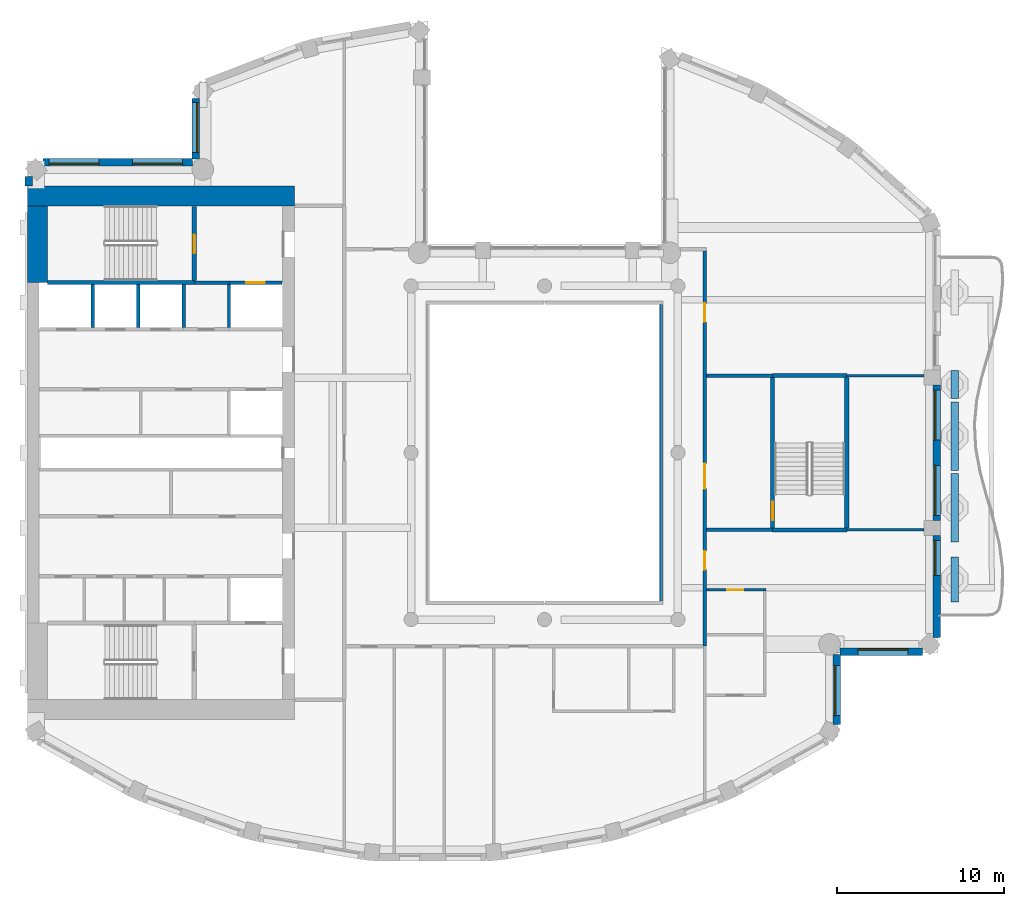
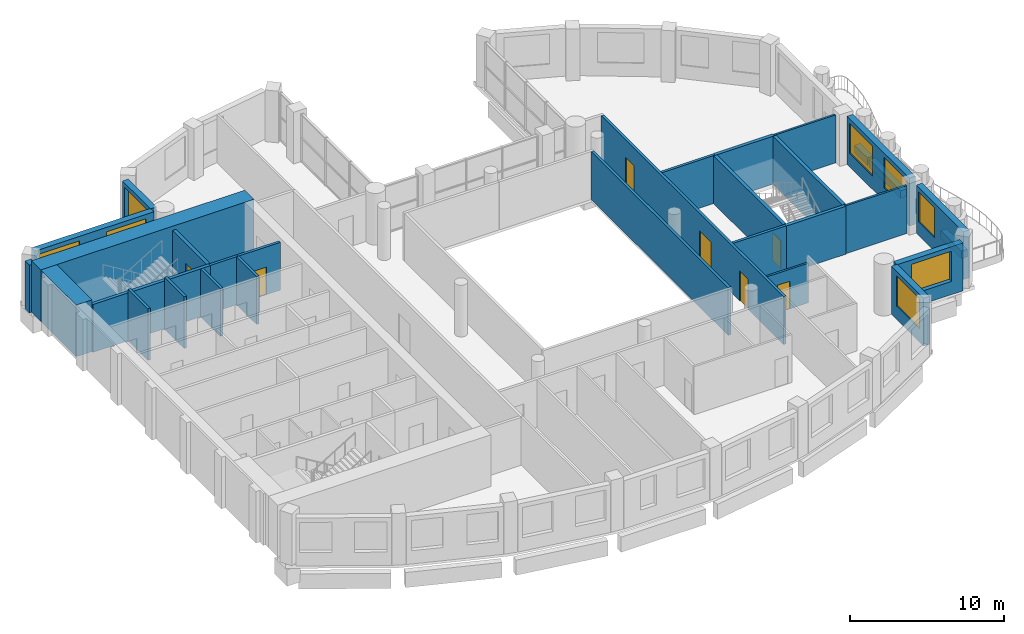
# One storey, part 7 of 15: 32 walls, 8 windows, 7 doors, 15 openings.
"""IFC4 building model written with IfcOpenShell, lengths in metres."""

from ifc_helpers import new_model, si_unit, direction, frame, frame_2d, origin, place, context, subcontext, project, spatial, rectangle, extrude, material, layer, layer_set, type_object, element, fill, save


model = new_model("IFC4")

# Units and contexts
model_context = context("Model", 3, precision=1e-05, world=origin(), true_north=direction((0.0, 1.0)))
body_context = subcontext(model_context, "Body", "Model", "MODEL_VIEW")
ifc_project = project(units=[si_unit("LENGTHUNIT", "METRE"), si_unit("AREAUNIT", "SQUARE_METRE"), si_unit("VOLUMEUNIT", "CUBIC_METRE"), si_unit("PLANEANGLEUNIT", "RADIAN"), si_unit("MASSUNIT", "GRAM", prefix="KILO")], contexts=[model_context])

# Site, building, storey
site_placement = place(None, origin())
site = spatial("IfcSite", under=ifc_project, at=site_placement, CompositionType="ELEMENT")
building_placement = place(site_placement, origin())
building = spatial("IfcBuilding", under=site, at=building_placement, Name="Cypress Arch Tower", CompositionType="ELEMENT")
storey_placement = place(building_placement, frame((0.0, 0.0, 243.39990234375)))
storey = spatial("IfcBuildingStorey", under=building, at=storey_placement, Name="L54", CompositionType="ELEMENT", Elevation=243.39990234375)

# Walls
ifc_material_1 = material(Name="Concrete C40/50, waterproofed", Category="concrete")
ifc_layer_1 = layer(ifc_material_1, 0.449951171875)
ifc_layer_set_1 = layer_set([ifc_layer_1], Name="Balcony planter wall PW450")
wall_type_1 = type_object("IfcWallType", Name="Balcony planter wall PW450", PredefinedType="SOLIDWALL", material=ifc_layer_set_1)
wall_1_placement = place(storey_placement, frame((25.60009765625, -8.949951171875, 0.0), z_axis=(0.0, 0.0, 1.0), x_axis=(0.0, 1.0, 0.0)))
element("IfcWall", 1, at=wall_1_placement, inside=storey, type_object=wall_type_1, Name="Balcony planter wall L54-C17.1", PredefinedType="SOLIDWALL", context=body_context, shape_type="SweptSolid", body=[
    extrude(rectangle(XDim=2.699951171875, YDim=0.449951171875, at=frame_2d((1.35009765625, 0.0))), origin(), (0.0, 0.0, 1.0), 0.60009765625),
])
for number, where, z_axis, x_axis, name in (
    (2, (25.60009765625, -5.35009765625, 0.0), (0.0, 0.0, 1.0), (0.0, 1.0, 0.0), "Balcony planter wall L54-C17.2"),
    (3, (25.60009765625, -1.050048828125, 0.0), (0.0, 0.0, 1.0), (0.0, 1.0, 0.0), "Balcony planter wall L54-C17.3"),
):
    element("IfcWall", number, at=place(storey_placement, frame(where, z_axis=z_axis, x_axis=x_axis)), inside=storey, type_object=wall_type_1, Name=name, PredefinedType="SOLIDWALL", context=body_context, shape_type="SweptSolid", body=[
        extrude(rectangle(XDim=4.10009765625, YDim=0.449951171875, at=frame_2d((2.050048828125, 0.0))), origin(), (0.0, 0.0, 1.0), 0.60009765625),
    ])
wall_2_placement = place(storey_placement, frame((25.60009765625, 3.25, 0.0), z_axis=(0.0, 0.0, 1.0), x_axis=(0.0, 1.0, 0.0)))
element("IfcWall", 4, at=wall_2_placement, inside=storey, type_object=wall_type_1, Name="Balcony planter wall L54-C17.4", PredefinedType="SOLIDWALL", context=body_context, shape_type="SweptSolid", body=[
    extrude(rectangle(XDim=1.69140625, YDim=0.449951171875, at=frame_2d((0.845703125, 0.0))), origin(), (0.0, 0.0, 1.0), 0.60009765625),
])

# Wall, opening, window
ifc_material_2 = material(Name="Brick (red buff blend)", Category="masonry")
ifc_layer_2 = layer(ifc_material_2, 0.449951171875)
ifc_layer_set_2 = layer_set([ifc_layer_2], Name="Brick pier and spandrel wall BW450")
wall_type_2 = type_object("IfcWallType", Name="Brick pier and spandrel wall BW450", PredefinedType="SOLIDWALL", material=ifc_layer_set_2)
wall_3_placement = place(storey_placement, frame((-19.925048828125, 21.248291015625, 0.0), z_axis=(0.0, 0.0, 1.0), x_axis=(0.0, -1.0, 0.0)))
wall_3 = element("IfcWall", 5, at=wall_3_placement, inside=storey, type_object=wall_type_2, Name="Brick wall L54 C05.0", PredefinedType="SOLIDWALL", context=body_context, shape_type="SweptSolid", body=[
    extrude(rectangle(XDim=3.646728515625, YDim=0.449951171875, at=frame_2d((1.8232421875, 0.0))), origin(), (0.0, 0.0, 1.0), 3.800048828125),
])
opening_1_placement = place(wall_3_placement, frame((0.251220703125, 0.0, 1.050048828125)))
opening_1 = element("IfcOpeningElement", 6, at=opening_1_placement, cuts=wall_3, Name="Opening W300O", PredefinedType="OPENING", context=body_context, shape_type="SweptSolid", body=[
    extrude(rectangle(XDim=3.0, YDim=2.39990234375, at=frame_2d((1.5, 1.199951171875))), frame((0.0, 0.23486328125, 0.0), z_axis=(0.0, -1.0, 0.0), x_axis=(1.0, 0.0, 0.0)), (0.0, 0.0, 1.0), 0.469970703125),
])
ifc_material_3 = material(Name="Anodised aluminium, bronze finish, clear low-emissivity double glazing", Category="aluminium")
window_type_1 = type_object("IfcWindowType", Name="Window Office 3000x2400", PartitioningType="SINGLE_PANEL", PredefinedType="WINDOW", material=ifc_material_3)
window_1_placement = place(opening_1_placement, origin())
window_1 = element("IfcWindow", 7, at=window_1_placement, inside=storey, type_object=window_type_1, Name="Window L54 C05.0.1", OverallHeight=2.39990234375, OverallWidth=3.0, PartitioningType="SINGLE_PANEL", PredefinedType="WINDOW", context=body_context, shape_type="SweptSolid", body=[
    extrude(rectangle(XDim=3.0, YDim=2.39990234375, at=frame_2d((1.5, 1.199951171875))), frame((0.0, 0.135009765625, 0.0), z_axis=(0.0, -1.0, 0.0), x_axis=(1.0, 0.0, 0.0)), (0.0, 0.0, 1.0), 0.06005859375),
])
fill(opening_1, window_1)

# Wall, openings, windows
wall_4_placement = place(storey_placement, frame((-20.1015625, 17.425048828125, 0.0), z_axis=(0.0, 0.0, 1.0), x_axis=(-1.0, 0.0, 0.0)))
wall_4 = element("IfcWall", 8, at=wall_4_placement, inside=storey, type_object=wall_type_2, Name="Brick wall L54 C06.0", PredefinedType="SOLIDWALL", context=body_context, shape_type="SweptSolid", body=[
    extrude(rectangle(XDim=8.962158203125, YDim=0.449951171875, at=frame_2d((4.48095703125, 0.0))), origin(), (0.0, 0.0, 1.0), 3.800048828125),
])
opening_2_placement = place(wall_4_placement, frame((0.598388671875, 0.0, 1.050048828125)))
opening_2 = element("IfcOpeningElement", 9, at=opening_2_placement, cuts=wall_4, Name="Opening W300O", PredefinedType="OPENING", context=body_context, shape_type="SweptSolid", body=[
    extrude(rectangle(XDim=3.0, YDim=2.39990234375, at=frame_2d((1.5, 1.199951171875))), frame((0.0, 0.23486328125, 0.0), z_axis=(0.0, -1.0, 0.0), x_axis=(1.0, 0.0, 0.0)), (0.0, 0.0, 1.0), 0.469970703125),
])
opening_3_placement = place(wall_4_placement, frame((5.598388671875, 0.0, 1.050048828125)))
opening_3 = element("IfcOpeningElement", 10, at=opening_3_placement, cuts=wall_4, Name="Opening W300O", PredefinedType="OPENING", context=body_context, shape_type="SweptSolid", body=[
    extrude(rectangle(XDim=3.0, YDim=2.39990234375, at=frame_2d((1.5, 1.199951171875))), frame((0.0, 0.23486328125, 0.0), z_axis=(0.0, -1.0, 0.0), x_axis=(1.0, 0.0, 0.0)), (0.0, 0.0, 1.0), 0.469970703125),
])
window_2_placement = place(opening_2_placement, origin())
window_2 = element("IfcWindow", 11, at=window_2_placement, inside=storey, type_object=window_type_1, Name="Window L54 C06.0.1", OverallHeight=2.39990234375, OverallWidth=3.0, PartitioningType="SINGLE_PANEL", PredefinedType="WINDOW", context=body_context, shape_type="SweptSolid", body=[
    extrude(rectangle(XDim=3.0, YDim=2.39990234375, at=frame_2d((1.5, 1.199951171875))), frame((0.0, 0.135009765625, 0.0), z_axis=(0.0, -1.0, 0.0), x_axis=(1.0, 0.0, 0.0)), (0.0, 0.0, 1.0), 0.06005859375),
])
fill(opening_2, window_2)
window_3_placement = place(opening_3_placement, origin())
window_3 = element("IfcWindow", 12, at=window_3_placement, inside=storey, type_object=window_type_1, Name="Window L54 C06.0.2", OverallHeight=2.39990234375, OverallWidth=3.0, PartitioningType="SINGLE_PANEL", PredefinedType="WINDOW", context=body_context, shape_type="SweptSolid", body=[
    extrude(rectangle(XDim=3.0, YDim=2.39990234375, at=frame_2d((1.5, 1.199951171875))), frame((0.0, 0.135009765625, 0.0), z_axis=(0.0, -1.0, 0.0), x_axis=(1.0, 0.0, 0.0)), (0.0, 0.0, 1.0), 0.06005859375),
])
fill(opening_3, window_3)

# Wall
wall_5_placement = place(storey_placement, frame((-29.925048828125, 16.563720703125, 0.0), z_axis=(0.0, 0.0, 1.0), x_axis=(0.0, -1.0, 0.0)))
element("IfcWall", 13, at=wall_5_placement, inside=storey, type_object=wall_type_2, Name="Brick wall L54 C07.0", PredefinedType="SOLIDWALL", context=body_context, shape_type="SweptSolid", body=[
    extrude(rectangle(XDim=0.563720703125, YDim=0.449951171875, at=frame_2d((0.28173828125, 0.0))), origin(), (0.0, 0.0, 1.0), 3.800048828125),
])

# Wall, opening, window
wall_6_placement = place(storey_placement, frame((18.52490234375, -16.3037109375, 0.0), z_axis=(0.0, 0.0, 1.0), x_axis=(0.0, 1.0, 0.0)))
wall_6 = element("IfcWall", 14, at=wall_6_placement, inside=storey, type_object=wall_type_2, Name="Brick wall L54 C15.0", PredefinedType="SOLIDWALL", context=body_context, shape_type="SweptSolid", body=[
    extrude(rectangle(XDim=4.2021484375, YDim=0.449951171875, at=frame_2d((2.10107421875, 0.0))), origin(), (0.0, 0.0, 1.0), 3.800048828125),
])
opening_4_placement = place(wall_6_placement, frame((0.541259765625, 0.0, 1.050048828125)))
opening_4 = element("IfcOpeningElement", 15, at=opening_4_placement, cuts=wall_6, Name="Opening W300O", PredefinedType="OPENING", context=body_context, shape_type="SweptSolid", body=[
    extrude(rectangle(XDim=3.0, YDim=2.39990234375, at=frame_2d((1.5, 1.199951171875))), frame((0.0, 0.23486328125, 0.0), z_axis=(0.0, -1.0, 0.0), x_axis=(1.0, 0.0, 0.0)), (0.0, 0.0, 1.0), 0.469970703125),
])
window_4_placement = place(opening_4_placement, origin())
window_4 = element("IfcWindow", 16, at=window_4_placement, inside=storey, type_object=window_type_1, Name="Window L54 C15.0.1", OverallHeight=2.39990234375, OverallWidth=3.0, PartitioningType="SINGLE_PANEL", PredefinedType="WINDOW", context=body_context, shape_type="SweptSolid", body=[
    extrude(rectangle(XDim=3.0, YDim=2.39990234375, at=frame_2d((1.5, 1.199951171875))), frame((0.0, 0.135009765625, 0.0), z_axis=(0.0, -1.0, 0.0), x_axis=(1.0, 0.0, 0.0)), (0.0, 0.0, 1.0), 0.06005859375),
])
fill(opening_4, window_4)

wall_7_placement = place(storey_placement, frame((18.701416015625, -11.925048828125, 0.0), z_axis=(0.0, 0.0, 1.0), x_axis=(1.0, 0.0, 0.0)))
wall_7 = element("IfcWall", 17, at=wall_7_placement, inside=storey, type_object=wall_type_2, Name="Brick wall L54 C16.0", PredefinedType="SOLIDWALL", context=body_context, shape_type="SweptSolid", body=[
    extrude(rectangle(XDim=4.962158203125, YDim=0.449951171875, at=frame_2d((2.48095703125, 0.0))), origin(), (0.0, 0.0, 1.0), 3.800048828125),
])
opening_5_placement = place(wall_7_placement, frame((1.098388671875, 0.0, 1.050048828125)))
opening_5 = element("IfcOpeningElement", 18, at=opening_5_placement, cuts=wall_7, Name="Opening W300O", PredefinedType="OPENING", context=body_context, shape_type="SweptSolid", body=[
    extrude(rectangle(XDim=3.0, YDim=2.39990234375, at=frame_2d((1.5, 1.199951171875))), frame((0.0, 0.23486328125, 0.0), z_axis=(0.0, -1.0, 0.0), x_axis=(1.0, 0.0, 0.0)), (0.0, 0.0, 1.0), 0.469970703125),
])
window_5_placement = place(opening_5_placement, origin())
window_5 = element("IfcWindow", 19, at=window_5_placement, inside=storey, type_object=window_type_1, Name="Window L54 C16.0.1", OverallHeight=2.39990234375, OverallWidth=3.0, PartitioningType="SINGLE_PANEL", PredefinedType="WINDOW", context=body_context, shape_type="SweptSolid", body=[
    extrude(rectangle(XDim=3.0, YDim=2.39990234375, at=frame_2d((1.5, 1.199951171875))), frame((0.0, 0.135009765625, 0.0), z_axis=(0.0, -1.0, 0.0), x_axis=(1.0, 0.0, 0.0)), (0.0, 0.0, 1.0), 0.06005859375),
])
fill(opening_5, window_5)

wall_8_placement = place(storey_placement, frame((24.52490234375, -11.063720703125, 0.0), z_axis=(0.0, 0.0, 1.0), x_axis=(0.0, 1.0, 0.0)))
wall_8 = element("IfcWall", 20, at=wall_8_placement, inside=storey, type_object=wall_type_2, Name="Brick wall L54 C17.0", PredefinedType="SOLIDWALL", context=body_context, shape_type="SweptSolid", body=[
    extrude(rectangle(XDim=6.11376953125, YDim=0.449951171875, at=frame_2d((3.056884765625, 0.0))), origin(), (0.0, 0.0, 1.0), 3.800048828125),
])
opening_6_placement = place(wall_8_placement, frame((3.713623046875, 0.0, 1.050048828125)))
opening_6 = element("IfcOpeningElement", 21, at=opening_6_placement, cuts=wall_8, Name="Opening W210OD", PredefinedType="OPENING", context=body_context, shape_type="SweptSolid", body=[
    extrude(rectangle(XDim=2.10009765625, YDim=2.39990234375, at=frame_2d((1.050048828125, 1.199951171875))), frame((0.0, 0.23486328125, 0.0), z_axis=(0.0, -1.0, 0.0), x_axis=(1.0, 0.0, 0.0)), (0.0, 0.0, 1.0), 0.469970703125),
])
ifc_material_4 = material(Name="Anodised aluminium, bronze finish, laminated low-emissivity double glazing, large-missile impact rated", Category="aluminium")
window_type_2 = type_object("IfcWindowType", Name="Window Office 2100x2400 debris-rated", PartitioningType="SINGLE_PANEL", PredefinedType="WINDOW", material=ifc_material_4)
window_6_placement = place(opening_6_placement, origin())
window_6 = element("IfcWindow", 22, at=window_6_placement, inside=storey, type_object=window_type_2, Name="Window L54 C17.0.2", OverallHeight=2.39990234375, OverallWidth=2.10009765625, PartitioningType="SINGLE_PANEL", PredefinedType="WINDOW", context=body_context, shape_type="SweptSolid", body=[
    extrude(rectangle(XDim=2.10009765625, YDim=2.39990234375, at=frame_2d((1.050048828125, 1.199951171875))), frame((0.0, 0.135009765625, 0.0), z_axis=(0.0, -1.0, 0.0), x_axis=(1.0, 0.0, 0.0)), (0.0, 0.0, 1.0), 0.06005859375),
])
fill(opening_6, window_6)

# Wall, openings, windows
wall_9_placement = place(storey_placement, frame((24.52490234375, -4.050048828125, 0.0), z_axis=(0.0, 0.0, 1.0), x_axis=(0.0, 1.0, 0.0)))
wall_9 = element("IfcWall", 23, at=wall_9_placement, inside=storey, type_object=wall_type_2, Name="Brick wall L54 C17.1", PredefinedType="SOLIDWALL", context=body_context, shape_type="SweptSolid", body=[
    extrude(rectangle(XDim=8.10009765625, YDim=0.449951171875, at=frame_2d((4.050048828125, 0.0))), origin(), (0.0, 0.0, 1.0), 3.800048828125),
])
opening_7_placement = place(wall_9_placement, frame((0.300048828125, 0.0, 1.050048828125)))
opening_7 = element("IfcOpeningElement", 24, at=opening_7_placement, cuts=wall_9, Name="Opening W300OD", PredefinedType="OPENING", context=body_context, shape_type="SweptSolid", body=[
    extrude(rectangle(XDim=3.0, YDim=2.39990234375, at=frame_2d((1.5, 1.199951171875))), frame((0.0, 0.23486328125, 0.0), z_axis=(0.0, -1.0, 0.0), x_axis=(1.0, 0.0, 0.0)), (0.0, 0.0, 1.0), 0.469970703125),
])
opening_8_placement = place(wall_9_placement, frame((4.800048828125, 0.0, 1.050048828125)))
opening_8 = element("IfcOpeningElement", 25, at=opening_8_placement, cuts=wall_9, Name="Opening W300OD", PredefinedType="OPENING", context=body_context, shape_type="SweptSolid", body=[
    extrude(rectangle(XDim=3.0, YDim=2.39990234375, at=frame_2d((1.5, 1.199951171875))), frame((0.0, 0.23486328125, 0.0), z_axis=(0.0, -1.0, 0.0), x_axis=(1.0, 0.0, 0.0)), (0.0, 0.0, 1.0), 0.469970703125),
])
ifc_material_5 = material(Name="Anodised aluminium, bronze finish, laminated low-emissivity double glazing, large-missile impact rated", Category="aluminium")
window_type_3 = type_object("IfcWindowType", Name="Window Office 3000x2400 debris-rated", PartitioningType="SINGLE_PANEL", PredefinedType="WINDOW", material=ifc_material_5)
window_7_placement = place(opening_7_placement, origin())
window_7 = element("IfcWindow", 26, at=window_7_placement, inside=storey, type_object=window_type_3, Name="Window L54 C17.1.1", OverallHeight=2.39990234375, OverallWidth=3.0, PartitioningType="SINGLE_PANEL", PredefinedType="WINDOW", context=body_context, shape_type="SweptSolid", body=[
    extrude(rectangle(XDim=3.0, YDim=2.39990234375, at=frame_2d((1.5, 1.199951171875))), frame((0.0, 0.135009765625, 0.0), z_axis=(0.0, -1.0, 0.0), x_axis=(1.0, 0.0, 0.0)), (0.0, 0.0, 1.0), 0.06005859375),
])
fill(opening_7, window_7)
window_8_placement = place(opening_8_placement, origin())
window_8 = element("IfcWindow", 27, at=window_8_placement, inside=storey, type_object=window_type_3, Name="Window L54 C17.1.2", OverallHeight=2.39990234375, OverallWidth=3.0, PartitioningType="SINGLE_PANEL", PredefinedType="WINDOW", context=body_context, shape_type="SweptSolid", body=[
    extrude(rectangle(XDim=3.0, YDim=2.39990234375, at=frame_2d((1.5, 1.199951171875))), frame((0.0, 0.135009765625, 0.0), z_axis=(0.0, -1.0, 0.0), x_axis=(1.0, 0.0, 0.0)), (0.0, 0.0, 1.0), 0.06005859375),
])
fill(opening_8, window_8)

# Walls
ifc_material_6 = material(Name="Concrete C60/75", Category="concrete")
ifc_layer_3 = layer(ifc_material_6, 1.199951171875)
ifc_layer_set_3 = layer_set([ifc_layer_3], Name="Core wall CW1200 C60/75")
wall_type_3 = type_object("IfcWallType", Name="Core wall CW1200 C60/75", PredefinedType="SHEAR", material=ifc_layer_set_3)
wall_10_placement = place(storey_placement, frame((-30.0, 15.39990234375, 0.0), z_axis=(0.0, 0.0, 1.0), x_axis=(1.0, 0.0, 0.0)))
element("IfcWall", 28, at=wall_10_placement, inside=storey, type_object=wall_type_3, Name="Core wall", PredefinedType="SHEAR", context=body_context, shape_type="SweptSolid", body=[
    extrude(rectangle(XDim=16.0, YDim=1.199951171875, at=frame_2d((8.0, 0.0))), origin(), (0.0, 0.0, 1.0), 4.10009765625),
])
wall_11_placement = place(storey_placement, frame((-29.39990234375, 10.199951171875, 0.0), z_axis=(0.0, 0.0, 1.0), x_axis=(0.0, 1.0, 0.0)))
element("IfcWall", 29, at=wall_11_placement, inside=storey, type_object=wall_type_3, Name="Core wall", PredefinedType="SHEAR", context=body_context, shape_type="SweptSolid", body=[
    extrude(rectangle(XDim=4.60009765625, YDim=1.199951171875, at=frame_2d((2.300048828125, 0.0))), origin(), (0.0, 0.0, 1.0), 4.10009765625),
])
ifc_material_7 = material(Name="Concrete blockwork, plastered, rated", Category="masonry")
ifc_layer_4 = layer(ifc_material_7, 0.199951171875)
ifc_layer_set_4 = layer_set([ifc_layer_4], Name="Corridor wall FW200")
wall_type_4 = type_object("IfcWallType", Name="Corridor wall FW200", PredefinedType="PARTITIONING", material=ifc_layer_set_4)
wall_12_placement = place(storey_placement, frame((-20.0, 10.199951171875, 0.0), z_axis=(0.0, 0.0, 1.0), x_axis=(1.0, 0.0, 0.0)))
element("IfcWall", 30, at=wall_12_placement, inside=storey, type_object=wall_type_4, Name="Corridor wall", PredefinedType="PARTITIONING", context=body_context, shape_type="SweptSolid", body=[
    extrude(rectangle(XDim=2.080078125, YDim=0.199951171875, at=frame_2d((1.0400390625, 0.0))), origin(), (0.0, 0.0, 1.0), 3.800048828125),
])
wall_13_placement = place(storey_placement, frame((8.0, -8.89990234375, 0.0), z_axis=(0.0, 0.0, 1.0), x_axis=(0.0, 1.0, 0.0)))
element("IfcWall", 31, at=wall_13_placement, inside=storey, type_object=wall_type_4, Name="Corridor wall", PredefinedType="PARTITIONING", context=body_context, shape_type="SweptSolid", body=[
    extrude(rectangle(XDim=17.7998046875, YDim=0.199951171875, at=frame_2d((8.89990234375, 0.0))), origin(), (0.0, 0.0, 1.0), 3.800048828125),
])

# Wall, openings, doors
wall_14_placement = place(storey_placement, frame((10.60009765625, -11.60009765625, 0.0), z_axis=(0.0, 0.0, 1.0), x_axis=(0.0, 1.0, 0.0)))
wall_14 = element("IfcWall", 32, at=wall_14_placement, inside=storey, type_object=wall_type_4, Name="Corridor wall", PredefinedType="PARTITIONING", context=body_context, shape_type="SweptSolid", body=[
    extrude(rectangle(XDim=23.7001953125, YDim=0.199951171875, at=frame_2d((11.85009765625, 0.0))), origin(), (0.0, 0.0, 1.0), 3.800048828125),
])
opening_9_placement = place(wall_14_placement, frame((9.449951171875, 0.0, 0.0)))
opening_9 = element("IfcOpeningElement", 33, at=opening_9_placement, cuts=wall_14, Name="Opening D07", PredefinedType="OPENING", context=body_context, shape_type="SweptSolid", body=[
    extrude(rectangle(XDim=1.5, YDim=2.39990234375, at=frame_2d((0.75, 1.199951171875))), frame((0.0, 0.10986328125, 0.0), z_axis=(0.0, -1.0, 0.0), x_axis=(1.0, 0.0, 0.0)), (0.0, 0.0, 1.0), 0.219970703125),
])
opening_10_placement = place(wall_14_placement, frame((19.449951171875, 0.0, 0.0)))
opening_10 = element("IfcOpeningElement", 34, at=opening_10_placement, cuts=wall_14, Name="Opening D01", PredefinedType="OPENING", context=body_context, shape_type="SweptSolid", body=[
    extrude(rectangle(XDim=1.10009765625, YDim=2.39990234375, at=frame_2d((0.550048828125, 1.199951171875))), frame((0.0, 0.10986328125, 0.0), z_axis=(0.0, -1.0, 0.0), x_axis=(1.0, 0.0, 0.0)), (0.0, 0.0, 1.0), 0.219970703125),
])
opening_11_placement = place(wall_14_placement, frame((4.60009765625, 0.0, 0.0)))
opening_11 = element("IfcOpeningElement", 35, at=opening_11_placement, cuts=wall_14, Name="Opening D01", PredefinedType="OPENING", context=body_context, shape_type="SweptSolid", body=[
    extrude(rectangle(XDim=1.10009765625, YDim=2.39990234375, at=frame_2d((0.550048828125, 1.199951171875))), frame((0.0, 0.10986328125, 0.0), z_axis=(0.0, -1.0, 0.0), x_axis=(1.0, 0.0, 0.0)), (0.0, 0.0, 1.0), 0.219970703125),
])
ifc_material_8 = material(Name="Steel framed glazed door, fire resisting", Category="steel")
door_type_1 = type_object("IfcDoorType", Name="Lobby door D07 1500x2400", OperationType="DOUBLE_DOOR_SINGLE_SWING", PredefinedType="DOOR", material=ifc_material_8)
door_1_placement = place(opening_9_placement, origin())
door_1 = element("IfcDoor", 36, at=door_1_placement, inside=storey, type_object=door_type_1, Name="Lobby door", OperationType="DOUBLE_DOOR_SINGLE_SWING", OverallHeight=2.39990234375, OverallWidth=1.5, PredefinedType="DOOR", context=body_context, shape_type="SweptSolid", body=[
    extrude(rectangle(XDim=1.5, YDim=2.39990234375, at=frame_2d((0.75, 1.199951171875))), frame((0.0, 0.02490234375, 0.0), z_axis=(0.0, -1.0, 0.0), x_axis=(1.0, 0.0, 0.0)), (0.0, 0.0, 1.0), 0.050048828125),
])
fill(opening_9, door_1)
ifc_material_9 = material(Name="Timber flush door, fire resisting, self-closing", Category="wood")
door_type_2 = type_object("IfcDoorType", Name="Unit entrance door D01 1100x2400", OperationType="SINGLE_SWING_LEFT", PredefinedType="DOOR", material=ifc_material_9)
door_2_placement = place(opening_10_placement, origin())
door_2 = element("IfcDoor", 37, at=door_2_placement, inside=storey, type_object=door_type_2, Name="Unit entrance door", OperationType="SINGLE_SWING_LEFT", OverallHeight=2.39990234375, OverallWidth=1.10009765625, PredefinedType="DOOR", context=body_context, shape_type="SweptSolid", body=[
    extrude(rectangle(XDim=1.10009765625, YDim=2.39990234375, at=frame_2d((0.550048828125, 1.199951171875))), frame((0.0, 0.02490234375, 0.0), z_axis=(0.0, -1.0, 0.0), x_axis=(1.0, 0.0, 0.0)), (0.0, 0.0, 1.0), 0.050048828125),
])
fill(opening_10, door_2)
door_3_placement = place(opening_11_placement, origin())
door_3 = element("IfcDoor", 38, at=door_3_placement, inside=storey, type_object=door_type_2, Name="Unit entrance door", OperationType="SINGLE_SWING_RIGHT", OverallHeight=2.39990234375, OverallWidth=1.10009765625, PredefinedType="DOOR", context=body_context, shape_type="SweptSolid", body=[
    extrude(rectangle(XDim=1.10009765625, YDim=2.39990234375, at=frame_2d((0.550048828125, 1.199951171875))), frame((0.0, 0.02490234375, 0.0), z_axis=(0.0, -1.0, 0.0), x_axis=(1.0, 0.0, 0.0)), (0.0, 0.0, 1.0), 0.050048828125),
])
fill(opening_11, door_3)

# Walls
for number, where, z_axis, x_axis, name in (
    (39, (10.699951171875, -4.625, 0.0), (0.0, 0.0, 1.0), (1.0, 0.0, 0.0), "Corridor wall"),
    (40, (10.699951171875, 4.625, 0.0), (0.0, 0.0, 1.0), (1.0, 0.0, 0.0), "Corridor wall"),
):
    element("IfcWall", number, at=place(storey_placement, frame(where, z_axis=z_axis, x_axis=x_axis)), inside=storey, type_object=wall_type_4, Name=name, PredefinedType="PARTITIONING", context=body_context, shape_type="SweptSolid", body=[
        extrude(rectangle(XDim=3.97509765625, YDim=0.199951171875, at=frame_2d((1.987548828125, 0.0))), origin(), (0.0, 0.0, 1.0), 3.800048828125),
    ])

# Wall, opening, door
ifc_material_10 = material(Name="Blockwork, plastered both sides", Category="masonry")
ifc_layer_5 = layer(ifc_material_10, 0.14990234375)
ifc_layer_set_5 = layer_set([ifc_layer_5], Name="Partition PW150")
wall_type_5 = type_object("IfcWallType", Name="Partition PW150", PredefinedType="PARTITIONING", material=ifc_layer_set_5)
wall_15_placement = place(storey_placement, frame((10.699951171875, -8.22509765625, 0.0), z_axis=(0.0, 0.0, 1.0), x_axis=(1.0, 0.0, 0.0)))
wall_15 = element("IfcWall", 41, at=wall_15_placement, inside=storey, type_object=wall_type_5, Name="Partition", PredefinedType="PARTITIONING", context=body_context, shape_type="SweptSolid", body=[
    extrude(rectangle(XDim=3.574951171875, YDim=0.14990234375, at=frame_2d((1.78759765625, 0.0))), origin(), (0.0, 0.0, 1.0), 3.150146484375),
])
opening_12_placement = place(wall_15_placement, frame((1.25, 0.0, 0.0)))
opening_12 = element("IfcOpeningElement", 42, at=opening_12_placement, cuts=wall_15, Name="Opening D12", PredefinedType="OPENING", context=body_context, shape_type="SweptSolid", body=[
    extrude(rectangle(XDim=0.949951171875, YDim=2.199951171875, at=frame_2d((0.47509765625, 1.10009765625))), frame((0.0, 0.0849609375, 0.0), z_axis=(0.0, -1.0, 0.0), x_axis=(1.0, 0.0, 0.0)), (0.0, 0.0, 1.0), 0.169921875),
])
ifc_material_11 = material(Name="Timber flush door", Category="wood")
door_type_3 = type_object("IfcDoorType", Name="Room door D12 950x2200", OperationType="SINGLE_SWING_LEFT", PredefinedType="DOOR", material=ifc_material_11)
door_4_placement = place(opening_12_placement, origin())
door_4 = element("IfcDoor", 43, at=door_4_placement, inside=storey, type_object=door_type_3, Name="Room door", OperationType="SINGLE_SWING_LEFT", OverallHeight=2.199951171875, OverallWidth=0.949951171875, PredefinedType="DOOR", context=body_context, shape_type="SweptSolid", body=[
    extrude(rectangle(XDim=0.949951171875, YDim=2.199951171875, at=frame_2d((0.47509765625, 1.10009765625))), frame((0.0, 0.02490234375, 0.0), z_axis=(0.0, -1.0, 0.0), x_axis=(1.0, 0.0, 0.0)), (0.0, 0.0, 1.0), 0.050048828125),
])
fill(opening_12, door_4)

# Walls
for number, where, z_axis, x_axis, name in (
    (44, (19.14501953125, -4.625, 0.0), (0.0, 0.0, 1.0), (1.0, 0.0, 0.0), "Partition"),
    (45, (19.14501953125, 4.625, 0.0), (0.0, 0.0, 1.0), (1.0, 0.0, 0.0), "Partition"),
):
    element("IfcWall", number, at=place(storey_placement, frame(where, z_axis=z_axis, x_axis=x_axis)), inside=storey, type_object=wall_type_5, Name=name, PredefinedType="PARTITIONING", context=body_context, shape_type="SweptSolid", body=[
        extrude(rectangle(XDim=4.60498046875, YDim=0.14990234375, at=frame_2d((2.302490234375, 0.0))), origin(), (0.0, 0.0, 1.0), 3.800048828125),
    ])
ifc_material_12 = material(Name="Concrete C50/60", Category="concrete")
ifc_layer_6 = layer(ifc_material_12, 0.199951171875)
ifc_layer_set_6 = layer_set([ifc_layer_6], Name="Shaft wall SH200")
wall_type_6 = type_object("IfcWallType", Name="Shaft wall SH200", PredefinedType="SHEAR", material=ifc_layer_set_6)
for number, where, z_axis, x_axis, name in (
    (46, (-26.080078125, 7.5, 0.0), (0.0, 0.0, 1.0), (0.0, 1.0, 0.0), "Shaft wall"),
    (47, (-23.360107421875, 7.5, 0.0), (0.0, 0.0, 1.0), (0.0, 1.0, 0.0), "Shaft wall"),
):
    element("IfcWall", number, at=place(storey_placement, frame(where, z_axis=z_axis, x_axis=x_axis)), inside=storey, type_object=wall_type_6, Name=name, PredefinedType="SHEAR", context=body_context, shape_type="SweptSolid", body=[
        extrude(rectangle(XDim=2.574951171875, YDim=0.199951171875, at=frame_2d((1.28759765625, 0.0))), origin(), (0.0, 0.0, 1.0), 4.10009765625),
    ])
wall_16_placement = place(storey_placement, frame((-20.639892578125, 7.5, 0.0), z_axis=(0.0, 0.0, 1.0), x_axis=(0.0, 1.0, 0.0)))
element("IfcWall", 48, at=wall_16_placement, inside=storey, type_object=wall_type_6, Name="Shaft wall", PredefinedType="SHEAR", context=body_context, shape_type="SweptSolid", body=[
    extrude(rectangle(XDim=2.574951171875, YDim=0.199951171875, at=frame_2d((1.28759765625, 0.0))), origin(), (0.0, 0.0, 1.0), 3.800048828125),
])
wall_17_placement = place(storey_placement, frame((-17.919921875, 7.5, 0.0), z_axis=(0.0, 0.0, 1.0), x_axis=(0.0, 1.0, 0.0)))
element("IfcWall", 49, at=wall_17_placement, inside=storey, type_object=wall_type_6, Name="Shaft wall", PredefinedType="SHEAR", context=body_context, shape_type="SweptSolid", body=[
    extrude(rectangle(XDim=2.60009765625, YDim=0.199951171875, at=frame_2d((1.300048828125, 0.0))), origin(), (0.0, 0.0, 1.0), 3.800048828125),
])

# Wall, opening, door
wall_18_placement = place(storey_placement, frame((-17.919921875, 10.199951171875, 0.0), z_axis=(0.0, 0.0, 1.0), x_axis=(1.0, 0.0, 0.0)))
wall_18 = element("IfcWall", 50, at=wall_18_placement, inside=storey, type_object=wall_type_6, Name="Shaft wall", PredefinedType="SHEAR", context=body_context, shape_type="SweptSolid", body=[
    extrude(rectangle(XDim=3.18994140625, YDim=0.199951171875, at=frame_2d((1.594970703125, 0.0))), origin(), (0.0, 0.0, 1.0), 3.800048828125),
])
opening_13_placement = place(wall_18_placement, frame((1.050048828125, 0.0, 0.0)))
opening_13 = element("IfcOpeningElement", 51, at=opening_13_placement, cuts=wall_18, Name="Opening LD-FL2", PredefinedType="OPENING", context=body_context, shape_type="SweptSolid", body=[
    extrude(rectangle(XDim=1.10009765625, YDim=2.199951171875, at=frame_2d((0.550048828125, 1.10009765625))), frame((0.0, 0.10986328125, 0.0), z_axis=(0.0, -1.0, 0.0), x_axis=(1.0, 0.0, 0.0)), (0.0, 0.0, 1.0), 0.219970703125),
])
ifc_material_13 = material(Name="Stainless steel centre-opening landing door, rated", Category="steel")
door_type_4 = type_object("IfcDoorType", Name="Lift landing door LD 1100x2200", OperationType="DOUBLE_DOOR_SLIDING", PredefinedType="DOOR", material=ifc_material_13)
door_5_placement = place(opening_13_placement, origin())
door_5 = element("IfcDoor", 52, at=door_5_placement, inside=storey, type_object=door_type_4, Name="Lift landing doors FL2", OperationType="DOUBLE_DOOR_SLIDING", OverallHeight=2.199951171875, OverallWidth=1.10009765625, PredefinedType="DOOR", context=body_context, shape_type="SweptSolid", body=[
    extrude(rectangle(XDim=1.10009765625, YDim=2.199951171875, at=frame_2d((0.550048828125, 1.10009765625))), frame((0.0, 0.02490234375, 0.0), z_axis=(0.0, -1.0, 0.0), x_axis=(1.0, 0.0, 0.0)), (0.0, 0.0, 1.0), 0.050048828125),
])
fill(opening_13, door_5)

# Wall
ifc_material_14 = material(Name="Concrete C50/60", Category="concrete")
ifc_layer_7 = layer(ifc_material_14, 0.25)
ifc_layer_set_7 = layer_set([ifc_layer_7], Name="Stair enclosure wall SW250")
wall_type_7 = type_object("IfcWallType", Name="Stair enclosure wall SW250", PredefinedType="SHEAR", material=ifc_layer_set_7)
wall_19_placement = place(storey_placement, frame((-28.81005859375, 10.199951171875, 0.0), z_axis=(0.0, 0.0, 1.0), x_axis=(1.0, 0.0, 0.0)))
element("IfcWall", 53, at=wall_19_placement, inside=storey, type_object=wall_type_7, Name="Stair enclosure wall", PredefinedType="SHEAR", context=body_context, shape_type="SweptSolid", body=[
    extrude(rectangle(XDim=8.81005859375, YDim=0.25, at=frame_2d((4.405029296875, 0.0))), origin(), (0.0, 0.0, 1.0), 3.800048828125),
])

# Wall, opening, door
wall_20_placement = place(storey_placement, frame((-20.0, 10.324951171875, 0.0), z_axis=(0.0, 0.0, 1.0), x_axis=(0.0, 1.0, 0.0)))
wall_20 = element("IfcWall", 54, at=wall_20_placement, inside=storey, type_object=wall_type_7, Name="Stair enclosure wall", PredefinedType="SHEAR", context=body_context, shape_type="SweptSolid", body=[
    extrude(rectangle(XDim=4.445068359375, YDim=0.25, at=frame_2d((2.22265625, 0.0))), origin(), (0.0, 0.0, 1.0), 3.800048828125),
])
opening_14_placement = place(wall_20_placement, frame((1.64990234375, 0.0, 0.0)))
opening_14 = element("IfcOpeningElement", 55, at=opening_14_placement, cuts=wall_20, Name="Opening D06", PredefinedType="OPENING", context=body_context, shape_type="SweptSolid", body=[
    extrude(rectangle(XDim=1.10009765625, YDim=2.199951171875, at=frame_2d((0.550048828125, 1.10009765625))), frame((0.0, 0.135009765625, 0.0), z_axis=(0.0, -1.0, 0.0), x_axis=(1.0, 0.0, 0.0)), (0.0, 0.0, 1.0), 0.27001953125),
])
ifc_material_15 = material(Name="Steel door, fire resisting, panic bar", Category="steel")
door_type_5 = type_object("IfcDoorType", Name="Stair door D06 1100x2200", OperationType="SINGLE_SWING_LEFT", PredefinedType="DOOR", material=ifc_material_15)
door_6_placement = place(opening_14_placement, origin())
door_6 = element("IfcDoor", 56, at=door_6_placement, inside=storey, type_object=door_type_5, Name="Stair door", OperationType="SINGLE_SWING_LEFT", OverallHeight=2.199951171875, OverallWidth=1.10009765625, PredefinedType="DOOR", context=body_context, shape_type="SweptSolid", body=[
    extrude(rectangle(XDim=1.10009765625, YDim=2.199951171875, at=frame_2d((0.550048828125, 1.10009765625))), frame((0.0, 0.02490234375, 0.0), z_axis=(0.0, -1.0, 0.0), x_axis=(1.0, 0.0, 0.0)), (0.0, 0.0, 1.0), 0.050048828125),
])
fill(opening_14, door_6)

wall_21_placement = place(storey_placement, frame((14.675048828125, -4.5, 0.0), z_axis=(0.0, 0.0, 1.0), x_axis=(0.0, 1.0, 0.0)))
wall_21 = element("IfcWall", 57, at=wall_21_placement, inside=storey, type_object=wall_type_7, Name="Stair enclosure wall", PredefinedType="SHEAR", context=body_context, shape_type="SweptSolid", body=[
    extrude(rectangle(XDim=9.0, YDim=0.25, at=frame_2d((4.5, 0.0))), origin(), (0.0, 0.0, 1.0), 3.800048828125),
])
opening_15_placement = place(wall_21_placement, frame((0.449951171875, 0.0, 0.0)))
opening_15 = element("IfcOpeningElement", 58, at=opening_15_placement, cuts=wall_21, Name="Opening D06", PredefinedType="OPENING", context=body_context, shape_type="SweptSolid", body=[
    extrude(rectangle(XDim=1.10009765625, YDim=2.199951171875, at=frame_2d((0.550048828125, 1.10009765625))), frame((0.0, 0.135009765625, 0.0), z_axis=(0.0, -1.0, 0.0), x_axis=(1.0, 0.0, 0.0)), (0.0, 0.0, 1.0), 0.27001953125),
])
door_7_placement = place(opening_15_placement, origin())
door_7 = element("IfcDoor", 59, at=door_7_placement, inside=storey, type_object=door_type_5, Name="Stair door", OperationType="SINGLE_SWING_RIGHT", OverallHeight=2.199951171875, OverallWidth=1.10009765625, PredefinedType="DOOR", context=body_context, shape_type="SweptSolid", body=[
    extrude(rectangle(XDim=1.10009765625, YDim=2.199951171875, at=frame_2d((0.550048828125, 1.10009765625))), frame((0.0, 0.02490234375, 0.0), z_axis=(0.0, -1.0, 0.0), x_axis=(1.0, 0.0, 0.0)), (0.0, 0.0, 1.0), 0.050048828125),
])
fill(opening_15, door_7)

# Walls
for number, where, z_axis, x_axis, name in (
    (60, (14.675048828125, -4.625, 0.0), (0.0, 0.0, 1.0), (1.0, 0.0, 0.0), "Stair enclosure wall"),
    (61, (14.675048828125, 4.625, 0.0), (0.0, 0.0, 1.0), (1.0, 0.0, 0.0), "Stair enclosure wall"),
):
    element("IfcWall", number, at=place(storey_placement, frame(where, z_axis=z_axis, x_axis=x_axis)), inside=storey, type_object=wall_type_7, Name=name, PredefinedType="SHEAR", context=body_context, shape_type="SweptSolid", body=[
        extrude(rectangle(XDim=4.449951171875, YDim=0.25, at=frame_2d((2.22509765625, 0.0))), origin(), (0.0, 0.0, 1.0), 3.800048828125),
    ])
wall_22_placement = place(storey_placement, frame((19.125, -4.5, 0.0), z_axis=(0.0, 0.0, 1.0), x_axis=(0.0, 1.0, 0.0)))
element("IfcWall", 62, at=wall_22_placement, inside=storey, type_object=wall_type_7, Name="Stair enclosure wall", PredefinedType="SHEAR", context=body_context, shape_type="SweptSolid", body=[
    extrude(rectangle(XDim=9.0, YDim=0.25, at=frame_2d((4.5, 0.0))), origin(), (0.0, 0.0, 1.0), 3.800048828125),
])

save(model, "model.ifc")
